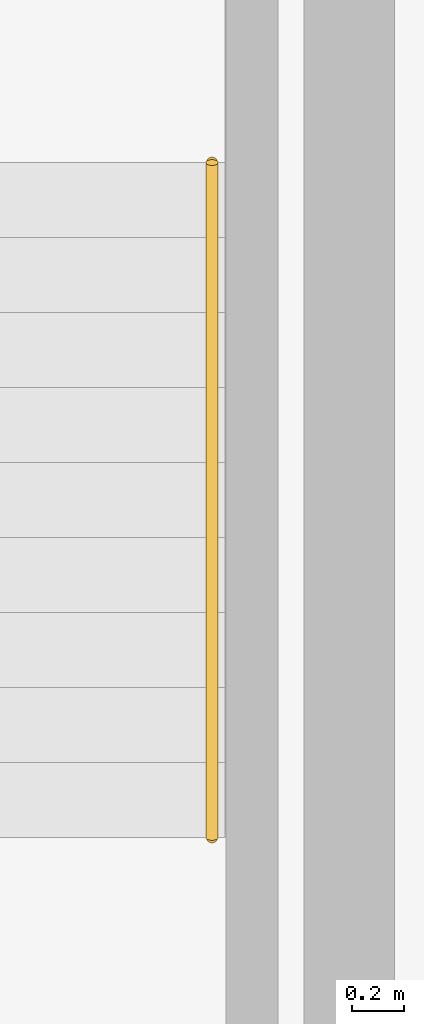
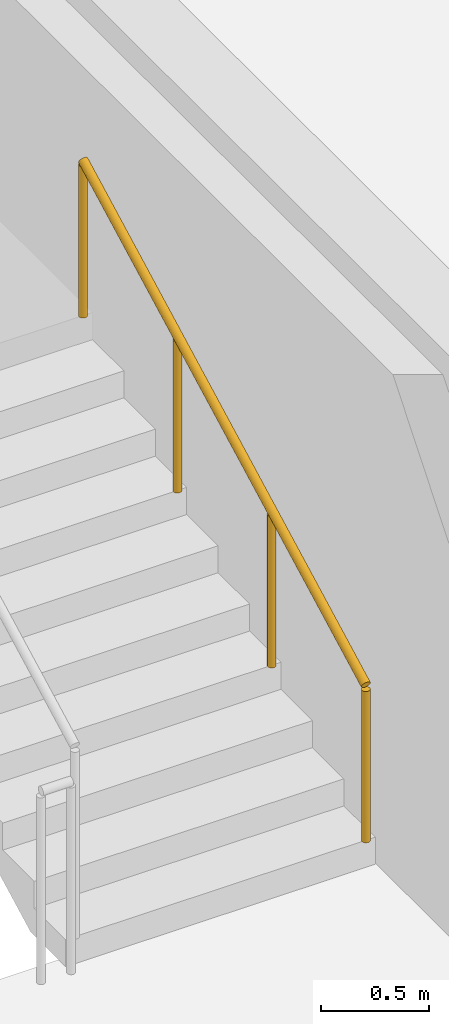
# One storey, part 8 of 8: 1 railing.
"""IFC4 building model written with IfcOpenShell, lengths in metres."""

from ifc_helpers import new_model, si_unit, direction, frame, origin, origin_2d, place, context, subcontext, project, spatial, circle, extrude, material, layer, layer_set, type_object, element, save


model = new_model("IFC4")

# Units and contexts
model_context = context("Model", 3, precision=1e-05, world=origin(), true_north=direction((0.0, 1.0)))
body_context = subcontext(model_context, "Body", "Model", "MODEL_VIEW")
ifc_project = project(units=[si_unit("LENGTHUNIT", "METRE"), si_unit("AREAUNIT", "SQUARE_METRE"), si_unit("VOLUMEUNIT", "CUBIC_METRE"), si_unit("PLANEANGLEUNIT", "RADIAN"), si_unit("MASSUNIT", "GRAM", prefix="KILO")], contexts=[model_context])

# Site, building, storey
site_placement = place(None, origin())
site = spatial("IfcSite", under=ifc_project, at=site_placement, CompositionType="ELEMENT")
building_placement = place(site_placement, origin())
building = spatial("IfcBuilding", under=site, at=building_placement, Name="Karkom Vertical University and Central Library", CompositionType="ELEMENT")
storey_placement = place(building_placement, frame((0.0, 0.0, 216.89990234375)))
storey = spatial("IfcBuildingStorey", under=building, at=storey_placement, Name="L63", CompositionType="ELEMENT", Elevation=216.89990234375)

# Railing
ifc_material = material(Name="Brushed stainless-steel tubular handrail", Category="steel")
ifc_layer = layer(ifc_material, 0.048095703125)
ifc_layer_set = layer_set([ifc_layer], Name="Brushed stainless-steel tubular handrail")
railing_type = type_object("IfcRailingType", Name="INT-RL-HAND920", PredefinedType="HANDRAIL", material=ifc_layer_set)
railing_placement = place(storey_placement, frame((36.969970703125, 23.02001953125, 0.152587890625)))
element("IfcRailing", 1, at=railing_placement, inside=storey, type_object=railing_type, Name="Level 63 ST-2 stair handrail 1", PredefinedType="HANDRAIL", context=body_context, shape_type="SweptSolid", body=[
    extrude(circle(Radius=0.02392578125, at=origin_2d()), frame((0.0, 0.0, 0.8759765625), z_axis=(0.0, 0.885065446896, 0.46546659892), x_axis=(-1.0, 0.0, 0.0)), (0.0, 0.0, 1.0), 2.94873046875),
    extrude(circle(Radius=0.02099609375, at=origin_2d()), origin(), (0.0, 0.0, 1.0), 0.851806640625),
    extrude(circle(Radius=0.02099609375, at=origin_2d()), frame((0.0, 0.869873046875, 0.45751953125)), (0.0, 0.0, 1.0), 0.851806640625),
    extrude(circle(Radius=0.02099609375, at=origin_2d()), frame((0.0, 1.739990234375, 0.9150390625)), (0.0, 0.0, 1.0), 0.851806640625),
    extrude(circle(Radius=0.02099609375, at=origin_2d()), frame((0.0, 2.60986328125, 1.37255859375)), (0.0, 0.0, 1.0), 0.851806640625),
])

save(model, "model.ifc")
